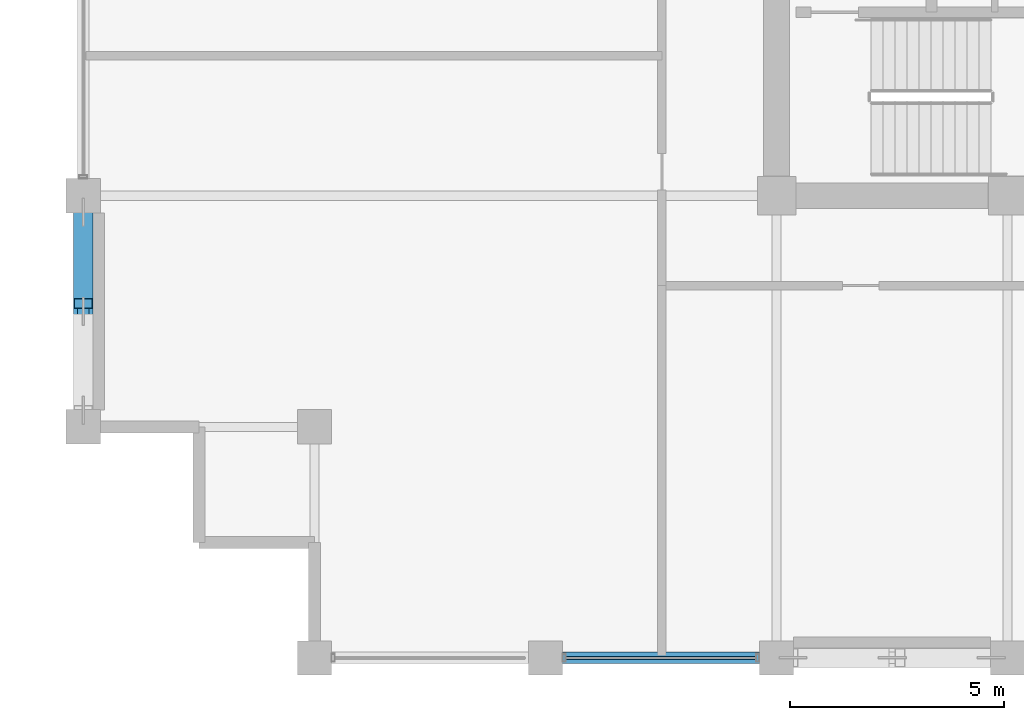
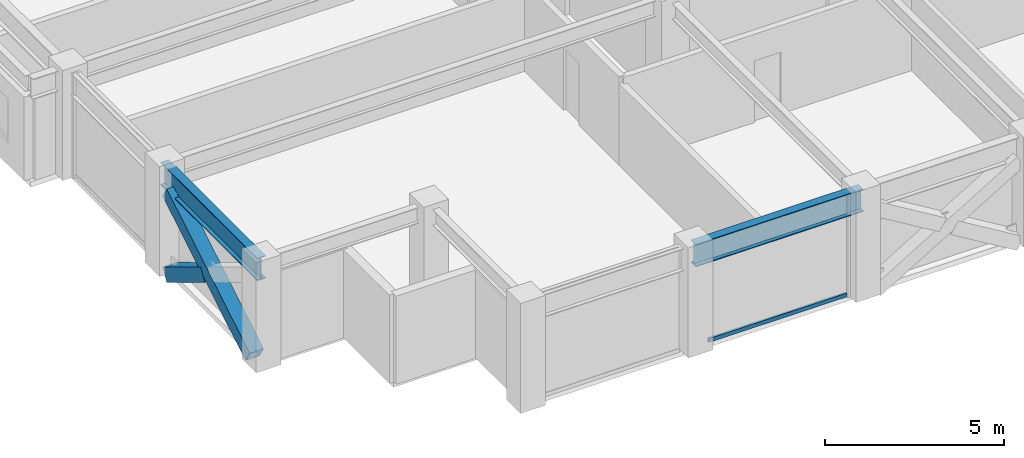
# One storey, part 3 of 30: 3 members, 2 beams, 1 element without a shape of its own.
"""IFC4 building model written with IfcOpenShell, lengths in metres."""

from ifc_helpers import new_model, si_unit, direction, frame, origin, origin_2d, place, context, subcontext, project, spatial, hollow_rectangle, i_section, extrude, material, layer, layer_set, material_profile, profile_set, type_object, element, aggregate, save


model = new_model("IFC4")

# Units and contexts
model_context = context("Model", 3, precision=1e-05, world=origin(), true_north=direction((0.0, 1.0)))
body_context = subcontext(model_context, "Body", "Model", "MODEL_VIEW")
ifc_project = project(units=[si_unit("LENGTHUNIT", "METRE"), si_unit("AREAUNIT", "SQUARE_METRE"), si_unit("VOLUMEUNIT", "CUBIC_METRE"), si_unit("PLANEANGLEUNIT", "RADIAN"), si_unit("MASSUNIT", "GRAM", prefix="KILO")], contexts=[model_context])

# Site, building, storey
site_placement = place(None, origin())
site = spatial("IfcSite", under=ifc_project, at=site_placement, CompositionType="ELEMENT")
building_placement = place(site_placement, origin())
building = spatial("IfcBuilding", under=site, at=building_placement, Name="Surkhivell Harbour Commons", CompositionType="ELEMENT")
storey_placement = place(building_placement, frame((0.0, 0.0, 227.25)))
storey = spatial("IfcBuildingStorey", under=building, at=storey_placement, Name="L59", CompositionType="ELEMENT", Elevation=227.25)

# Beams
ifc_material_1 = material(Name="Steel S355", Category="steel")
ifc_material_profile_1 = material_profile(ifc_material_1, i_section(OverallWidth=0.26806640625, OverallDepth=0.77001953125, WebThickness=0.015625, FlangeThickness=0.025390625, at=origin_2d()), Name="UB762x267x197")
ifc_profile_set_1 = profile_set([ifc_material_profile_1], Name="Steel S355")
beam_type = type_object("IfcBeamType", Name="BM-SPN-762", PredefinedType="SPANDREL", material=ifc_profile_set_1)
for number, where, z_axis, x_axis, name in (
    (1, (-27.0, -16.199951171875, 3.18505859375), (0.0, 1.0, 0.0), (-1.0, 0.0, 0.0), "L59 Tube Spandrel (-27.0,-16.2)"),
    (2, (-16.199951171875, -21.60009765625, 3.18505859375), (1.0, 0.0, 0.0), (0.0, 1.0, 0.0), "L59 Tube Spandrel (-16.2,-21.6)"),
):
    element("IfcBeam", number, at=place(storey_placement, frame(where, z_axis=z_axis, x_axis=x_axis)), inside=storey, type_object=beam_type, Name=name, PredefinedType="SPANDREL", context=body_context, shape_type="SweptSolid", body=[
        extrude(i_section(OverallWidth=0.26806640625, OverallDepth=0.77001953125, WebThickness=0.015625, FlangeThickness=0.025390625, at=origin_2d()), origin(), (0.0, 0.0, 1.0), 5.39990234375),
    ])

# Curtain wall, member
ifc_material_2 = material(Name="Anodised pale-metal aluminium and insulated glazing", Category="aluminium")
ifc_layer = layer(ifc_material_2, 0.18994140625)
ifc_layer_set = layer_set([ifc_layer], Name="Anodised pale-metal aluminium and insulated glazing")
curtain_wall_type = type_object("IfcCurtainWallType", Name="CW-SYS-Z3", PredefinedType="NOTDEFINED", material=ifc_layer_set)
curtain_wall_placement = place(storey_placement, origin())
curtain_wall = element("IfcCurtainWall", 3, at=curtain_wall_placement, inside=storey, type_object=curtain_wall_type, Name="L59 Curtain Wall CW-L59-E00S1", PredefinedType="NOTDEFINED")
ifc_material_3 = material(Name="Champagne anodised aluminium alloy 6063-T6", Category="aluminium")
ifc_material_profile_2 = material_profile(ifc_material_3, hollow_rectangle(XDim=0.070068359375, YDim=0.1298828125, WallThickness=0.00341796875, at=origin_2d()), Name="ALU-TRAN-70x130")
ifc_profile_set_2 = profile_set([ifc_material_profile_2], Name="Champagne anodised aluminium alloy 6063-T6")
member_type_1 = type_object("IfcMemberType", Name="CWT-130", PredefinedType="USERDEFINED", material=ifc_profile_set_2)
member_1_placement = place(storey_placement, frame((-15.722900390625, -21.60009765625, 0.06494140625), z_axis=(1.0, 0.0, 0.0), x_axis=(0.0, 1.0, 0.0)))
member_1 = element("IfcMember", 4, at=member_1_placement, type_object=member_type_1, Name="CW-Z3 transom 2.1", ObjectType="TRANSOM", PredefinedType="USERDEFINED", context=body_context, shape_type="SweptSolid", body=[
    extrude(hollow_rectangle(XDim=0.070068359375, YDim=0.1298828125, WallThickness=0.00341796875, at=origin_2d()), origin(), (0.0, 0.0, 1.0), 4.44580078125),
])
aggregate(curtain_wall, [member_1])

# Members
ifc_material_4 = material(Name="Steel S460", Category="steel")
ifc_material_profile_3 = material_profile(ifc_material_4, hollow_rectangle(XDim=0.449951171875, YDim=0.449951171875, WallThickness=0.02197265625, at=origin_2d()), Name="SHS450x450x22")
ifc_profile_set_3 = profile_set([ifc_material_profile_3], Name="Steel S460")
member_type_2 = type_object("IfcMemberType", Name="MEM-BRC-SHS450", PredefinedType="BRACE", material=ifc_profile_set_3)
member_2_placement = place(storey_placement, frame((-27.0, -15.81494140625, 0.008056640625), z_axis=(0.0, 0.856023742961, 0.516936506243), x_axis=(-1.0, 0.0, 0.0)))
element("IfcMember", 5, at=member_2_placement, inside=storey, type_object=member_type_2, Name="L59 Perimeter Mega-Brace MB- 10", PredefinedType="BRACE", context=body_context, shape_type="SweptSolid", body=[
    extrude(hollow_rectangle(XDim=0.449951171875, YDim=0.449951171875, WallThickness=0.02197265625, at=origin_2d()), origin(), (0.0, 0.0, 1.0), 5.40869140625),
])
member_3_placement = place(storey_placement, frame((-27.0, -11.18505859375, 0.008056640625), z_axis=(0.0, -0.856061168755, 0.516874525731), x_axis=(1.0, 0.0, 0.0)))
element("IfcMember", 6, at=member_3_placement, inside=storey, type_object=member_type_2, Name="L59 Perimeter Mega-Brace MB- 11", PredefinedType="BRACE", context=body_context, shape_type="SweptSolid", body=[
    extrude(hollow_rectangle(XDim=0.449951171875, YDim=0.449951171875, WallThickness=0.02197265625, at=origin_2d()), origin(), (0.0, 0.0, 1.0), 2.48828125),
])

save(model, "model.ifc")
